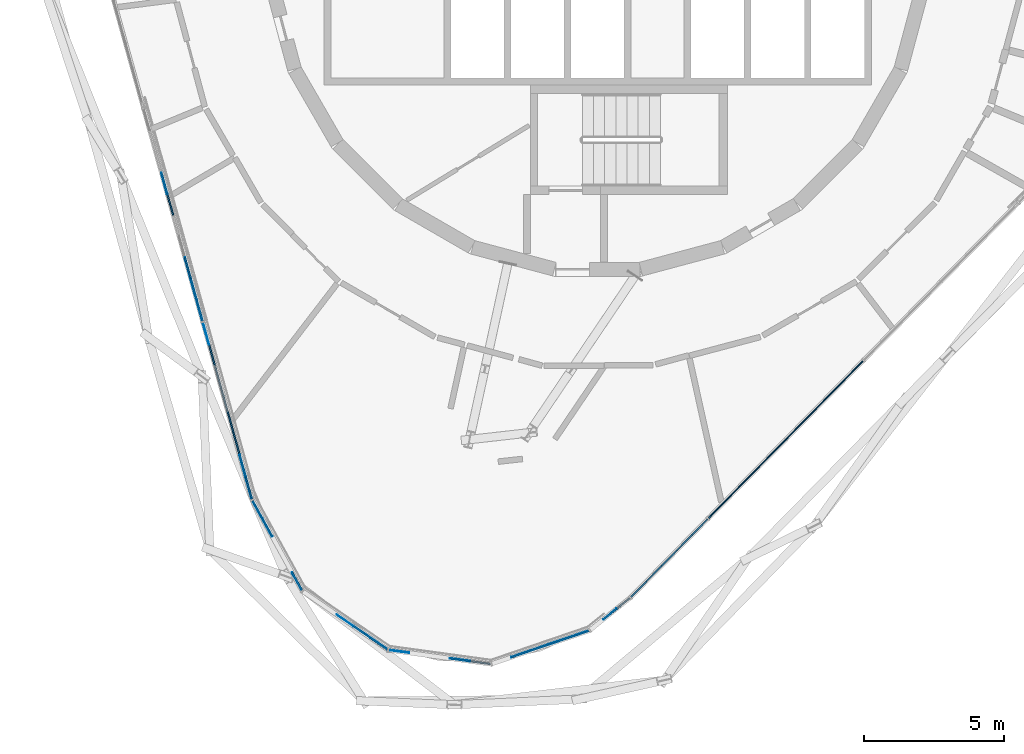
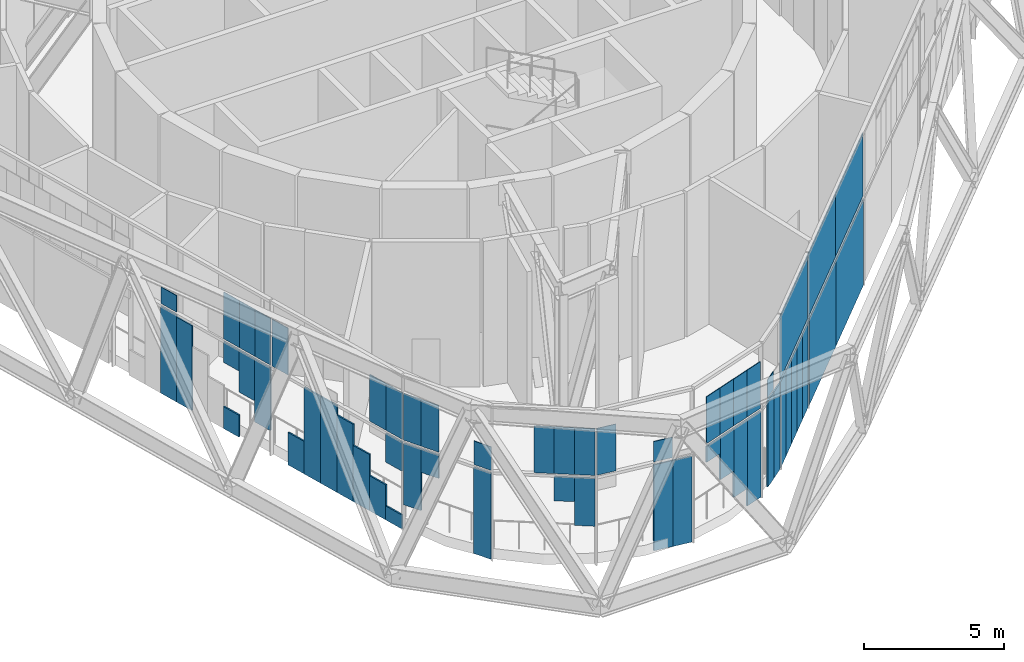
# One storey, part 8 of 23: 58 plates, 3 elements without a shape of their own.
"""IFC4 building model written with IfcOpenShell, lengths in metres."""

from ifc_helpers import new_model, si_unit, direction, frame, origin, origin_2d, place, context, subcontext, project, spatial, rectangle, extrude, material, layer, layer_set, type_object, element, aggregate, save


model = new_model("IFC4")

# Units and contexts
model_context = context("Model", 3, precision=1e-05, world=origin(), true_north=direction((0.0, 1.0)))
body_context = subcontext(model_context, "Body", "Model", "MODEL_VIEW")
ifc_project = project(units=[si_unit("LENGTHUNIT", "METRE"), si_unit("AREAUNIT", "SQUARE_METRE"), si_unit("VOLUMEUNIT", "CUBIC_METRE"), si_unit("PLANEANGLEUNIT", "RADIAN"), si_unit("MASSUNIT", "GRAM", prefix="KILO")], contexts=[model_context])

# Site, building, storey
site_placement = place(None, origin())
site = spatial("IfcSite", under=ifc_project, at=site_placement, CompositionType="ELEMENT")
building_placement = place(site_placement, origin())
building = spatial("IfcBuilding", under=site, at=building_placement, Name="Spindle Arch Residences", CompositionType="ELEMENT")
storey_placement = place(building_placement, frame((0.0, 0.0, 326.199951171875)))
storey = spatial("IfcBuildingStorey", under=building, at=storey_placement, Name="L84", CompositionType="ELEMENT", Elevation=326.199951171875)

# Curtain wall, plates
ifc_material_1 = material(Name="Aluminium bronze unitised frame with tinted glass", Category="aluminium")
ifc_layer_1 = layer(ifc_material_1, 0.159912109375)
ifc_layer_set_1 = layer_set([ifc_layer_1], Name="CW-E double-height winter garden wall")
curtain_wall_type = type_object("IfcCurtainWallType", Name="CW-E double-height winter garden wall", PredefinedType="NOTDEFINED", material=ifc_layer_set_1)
curtain_wall_1_placement = place(storey_placement, origin())
curtain_wall_1 = element("IfcCurtainWall", 1, at=curtain_wall_1_placement, inside=storey, type_object=curtain_wall_type, Name="CW-E L84 run 4", PredefinedType="NOTDEFINED")
ifc_material_2 = material(Name="Tinted laminated glass 28 mm", Category="glass")
ifc_layer_2 = layer(ifc_material_2, 0.028076171875)
ifc_layer_set_2 = layer_set([ifc_layer_2], Name="Tinted glass panel 28 mm")
plate_type_1 = type_object("IfcPlateType", Name="Tinted glass panel 28 mm", PredefinedType="CURTAIN_PANEL", material=ifc_layer_set_2)
plate_1_placement = place(storey_placement, frame((-15.51953125, -8.56787109375, 3.460205078125), z_axis=(0.0, 0.0, 1.0), x_axis=(0.267238376078, -0.963630453209, 0.0)))
plate_1 = element("IfcPlate", 2, at=plate_1_placement, type_object=plate_type_1, Name="CW-E panel 13Ab.2", PredefinedType="CURTAIN_PANEL", context=body_context, shape_type="SweptSolid", body=[
    extrude(rectangle(XDim=0.78759765625, YDim=0.028076171875, at=origin_2d()), origin(), (0.0, 0.0, 1.0), 0.72412109375),
])
plate_2_placement = place(storey_placement, frame((-14.677490234375, -11.603271484375, 3.460205078125), z_axis=(0.0, 0.0, 1.0), x_axis=(0.267238376078, -0.963630453209, 0.0)))
plate_2 = element("IfcPlate", 3, at=plate_2_placement, type_object=plate_type_1, Name="CW-E panel 13Bb.2", PredefinedType="CURTAIN_PANEL", context=body_context, shape_type="SweptSolid", body=[
    extrude(rectangle(XDim=0.78759765625, YDim=0.028076171875, at=origin_2d()), origin(), (0.0, 0.0, 1.0), 2.0458984375),
])
plate_3_placement = place(storey_placement, frame((-14.467041015625, -12.362060546875, 3.460205078125), z_axis=(0.0, 0.0, 1.0), x_axis=(0.267238376078, -0.963630453209, 0.0)))
plate_3 = element("IfcPlate", 4, at=plate_3_placement, type_object=plate_type_1, Name="CW-E panel 13Bb.3", PredefinedType="CURTAIN_PANEL", context=body_context, shape_type="SweptSolid", body=[
    extrude(rectangle(XDim=0.78759765625, YDim=0.028076171875, at=origin_2d()), origin(), (0.0, 0.0, 1.0), 2.0458984375),
])
plate_4_placement = place(storey_placement, frame((-14.256591796875, -13.12109375, 3.460205078125), z_axis=(0.0, 0.0, 1.0), x_axis=(0.267238376078, -0.963630453209, 0.0)))
plate_4 = element("IfcPlate", 5, at=plate_4_placement, type_object=plate_type_1, Name="CW-E panel 13Bb.4", PredefinedType="CURTAIN_PANEL", context=body_context, shape_type="SweptSolid", body=[
    extrude(rectangle(XDim=0.78759765625, YDim=0.028076171875, at=origin_2d()), origin(), (0.0, 0.0, 1.0), 2.0458984375),
])

curtain_wall_2_placement = place(storey_placement, origin())
curtain_wall_2 = element("IfcCurtainWall", 6, at=curtain_wall_2_placement, inside=storey, type_object=curtain_wall_type, Name="CW-E L84 run 5", PredefinedType="NOTDEFINED")
plate_5_placement = place(storey_placement, frame((-14.02587890625, -13.953125, 3.460205078125), z_axis=(0.0, 0.0, 1.0), x_axis=(0.267238376078, -0.963630453209, 0.0)))
plate_5 = element("IfcPlate", 7, at=plate_5_placement, type_object=plate_type_1, Name="CW-E panel 00b.1", PredefinedType="CURTAIN_PANEL", context=body_context, shape_type="SweptSolid", body=[
    extrude(rectangle(XDim=0.819580078125, YDim=0.028076171875, at=origin_2d()), origin(), (0.0, 0.0, 1.0), 2.0458984375),
])
plate_6_placement = place(storey_placement, frame((-12.7119140625, -18.691162109375, 3.460205078125), z_axis=(0.0, 0.0, 1.0), x_axis=(0.267238376078, -0.963630453209, 0.0)))
plate_6 = element("IfcPlate", 8, at=plate_6_placement, type_object=plate_type_1, Name="CW-E panel 00b.4", PredefinedType="CURTAIN_PANEL", context=body_context, shape_type="SweptSolid", body=[
    extrude(rectangle(XDim=0.819580078125, YDim=0.028076171875, at=origin_2d()), origin(), (0.0, 0.0, 1.0), 2.0458984375),
])
plate_7_placement = place(storey_placement, frame((-12.492919921875, -19.48095703125, 3.460205078125), z_axis=(0.0, 0.0, 1.0), x_axis=(0.267238376078, -0.963630453209, 0.0)))
plate_7 = element("IfcPlate", 9, at=plate_7_placement, type_object=plate_type_1, Name="CW-E panel 00b.5", PredefinedType="CURTAIN_PANEL", context=body_context, shape_type="SweptSolid", body=[
    extrude(rectangle(XDim=0.819580078125, YDim=0.028076171875, at=origin_2d()), origin(), (0.0, 0.0, 1.0), 2.0458984375),
])
plate_8_placement = place(storey_placement, frame((-12.18408203125, -20.252197265625, 3.460205078125), z_axis=(0.0, 0.0, 1.0), x_axis=(0.482263404731, -0.876026260142, 0.0)))
plate_8 = element("IfcPlate", 10, at=plate_8_placement, type_object=plate_type_1, Name="CW-E panel 01b.1", PredefinedType="CURTAIN_PANEL", context=body_context, shape_type="SweptSolid", body=[
    extrude(rectangle(XDim=0.7333984375, YDim=0.028076171875, at=origin_2d()), origin(), (0.0, 0.0, 1.0), 2.0458984375),
])
plate_9_placement = place(storey_placement, frame((-11.830322265625, -20.89453125, 3.460205078125), z_axis=(0.0, 0.0, 1.0), x_axis=(0.482263404731, -0.876026260142, 0.0)))
plate_9 = element("IfcPlate", 11, at=plate_9_placement, type_object=plate_type_1, Name="CW-E panel 01b.2", PredefinedType="CURTAIN_PANEL", context=body_context, shape_type="SweptSolid", body=[
    extrude(rectangle(XDim=0.7333984375, YDim=0.028076171875, at=origin_2d()), origin(), (0.0, 0.0, 1.0), 2.0458984375),
])
plate_10_placement = place(storey_placement, frame((-10.76953125, -22.822021484375, 3.4599609375), z_axis=(0.0, 0.0, 1.0), x_axis=(0.482263404731, -0.876026260142, 0.0)))
plate_10 = element("IfcPlate", 12, at=plate_10_placement, type_object=plate_type_1, Name="CW-E panel 01b.3", PredefinedType="CURTAIN_PANEL", context=body_context, shape_type="SweptSolid", body=[
    extrude(rectangle(XDim=0.7333984375, YDim=0.028076171875, at=origin_2d()), origin(), (0.0, 0.0, 1.0), 1.02978515625),
])
plate_11_placement = place(storey_placement, frame((-9.04248046875, -24.224853515625, 3.460205078125), z_axis=(0.0, 0.0, 1.0), x_axis=(0.824126188573, -0.566406236997, 0.0)))
plate_11 = element("IfcPlate", 13, at=plate_11_placement, type_object=plate_type_1, Name="CW-E panel 02b.1", PredefinedType="CURTAIN_PANEL", context=body_context, shape_type="SweptSolid", body=[
    extrude(rectangle(XDim=0.7333984375, YDim=0.028076171875, at=origin_2d()), origin(), (0.0, 0.0, 1.0), 2.0458984375),
])
plate_12_placement = place(storey_placement, frame((-8.43798828125, -24.64013671875, 3.460205078125), z_axis=(0.0, 0.0, 1.0), x_axis=(0.824126188573, -0.566406236997, 0.0)))
plate_12 = element("IfcPlate", 14, at=plate_12_placement, type_object=plate_type_1, Name="CW-E panel 02b.2", PredefinedType="CURTAIN_PANEL", context=body_context, shape_type="SweptSolid", body=[
    extrude(rectangle(XDim=0.7333984375, YDim=0.028076171875, at=origin_2d()), origin(), (0.0, 0.0, 1.0), 2.0458984375),
])
plate_13_placement = place(storey_placement, frame((-7.833740234375, -25.0556640625, 3.460205078125), z_axis=(0.0, 0.0, 1.0), x_axis=(0.824126188573, -0.566406236997, 0.0)))
plate_13 = element("IfcPlate", 15, at=plate_13_placement, type_object=plate_type_1, Name="CW-E panel 02b.3", PredefinedType="CURTAIN_PANEL", context=body_context, shape_type="SweptSolid", body=[
    extrude(rectangle(XDim=0.7333984375, YDim=0.028076171875, at=origin_2d()), origin(), (0.0, 0.0, 1.0), 2.0458984375),
])
plate_14_placement = place(storey_placement, frame((-7.11376953125, -25.33447265625, 3.460205078125), z_axis=(0.0, 0.0, 1.0), x_axis=(0.99066871764, -0.136291936259, 0.0)))
plate_14 = element("IfcPlate", 16, at=plate_14_placement, type_object=plate_type_1, Name="CW-E panel 03b.1", PredefinedType="CURTAIN_PANEL", context=body_context, shape_type="SweptSolid", body=[
    extrude(rectangle(XDim=0.7333984375, YDim=0.028076171875, at=origin_2d()), origin(), (0.0, 0.0, 1.0), 2.0458984375),
])
plate_15_placement = place(storey_placement, frame((-4.934326171875, -25.63427734375, 3.4599609375), z_axis=(0.0, 0.0, 1.0), x_axis=(0.99066871764, -0.136291936259, 0.0)))
plate_15 = element("IfcPlate", 17, at=plate_15_placement, type_object=plate_type_1, Name="CW-E panel 03b.2", PredefinedType="CURTAIN_PANEL", context=body_context, shape_type="SweptSolid", body=[
    extrude(rectangle(XDim=0.7333984375, YDim=0.028076171875, at=origin_2d()), origin(), (0.0, 0.0, 1.0), 0.892333984375),
])
plate_16_placement = place(storey_placement, frame((-2.745361328125, -25.42333984375, 3.460205078125), z_axis=(0.0, 0.0, 1.0), x_axis=(0.946461612616, 0.322816381002, 0.0)))
plate_16 = element("IfcPlate", 18, at=plate_16_placement, type_object=plate_type_1, Name="CW-E panel 04b.1", PredefinedType="CURTAIN_PANEL", context=body_context, shape_type="SweptSolid", body=[
    extrude(rectangle(XDim=0.7333984375, YDim=0.028076171875, at=origin_2d()), origin(), (0.0, 0.0, 1.0), 2.0458984375),
])
plate_17_placement = place(storey_placement, frame((-2.05126953125, -25.186767578125, 3.460205078125), z_axis=(0.0, 0.0, 1.0), x_axis=(0.946461612616, 0.322816381002, 0.0)))
plate_17 = element("IfcPlate", 19, at=plate_17_placement, type_object=plate_type_1, Name="CW-E panel 04b.2", PredefinedType="CURTAIN_PANEL", context=body_context, shape_type="SweptSolid", body=[
    extrude(rectangle(XDim=0.7333984375, YDim=0.028076171875, at=origin_2d()), origin(), (0.0, 0.0, 1.0), 2.0458984375),
])
plate_18_placement = place(storey_placement, frame((-1.357177734375, -24.949951171875, 3.460205078125), z_axis=(0.0, 0.0, 1.0), x_axis=(0.946461612616, 0.322816381002, 0.0)))
plate_18 = element("IfcPlate", 20, at=plate_18_placement, type_object=plate_type_1, Name="CW-E panel 04b.3", PredefinedType="CURTAIN_PANEL", context=body_context, shape_type="SweptSolid", body=[
    extrude(rectangle(XDim=0.7333984375, YDim=0.028076171875, at=origin_2d()), origin(), (0.0, 0.0, 1.0), 2.0458984375),
])
plate_19_placement = place(storey_placement, frame((-0.6630859375, -24.713134765625, 3.460205078125), z_axis=(0.0, 0.0, 1.0), x_axis=(0.946461612616, 0.322816381002, 0.0)))
plate_19 = element("IfcPlate", 21, at=plate_19_placement, type_object=plate_type_1, Name="CW-E panel 04b.4", PredefinedType="CURTAIN_PANEL", context=body_context, shape_type="SweptSolid", body=[
    extrude(rectangle(XDim=0.7333984375, YDim=0.028076171875, at=origin_2d()), origin(), (0.0, 0.0, 1.0), 2.0458984375),
])
plate_20_placement = place(storey_placement, frame((0.443115234375, -23.9970703125, 3.4599609375), z_axis=(0.0, 0.0, 1.0), x_axis=(0.778973292636, 0.627057102153, 0.0)))
plate_20 = element("IfcPlate", 22, at=plate_20_placement, type_object=plate_type_1, Name="CW-E panel 05b.1", PredefinedType="CURTAIN_PANEL", context=body_context, shape_type="SweptSolid", body=[
    extrude(rectangle(XDim=0.60546875, YDim=0.028076171875, at=origin_2d()), origin(), (0.0, 0.0, 1.0), 0.791259765625),
])
plate_21_placement = place(storey_placement, frame((2.5654296875, -21.99267578125, 3.4599609375), z_axis=(0.0, 0.0, 1.0), x_axis=(0.7009092643, 0.713250449154, 0.0)))
plate_21 = element("IfcPlate", 23, at=plate_21_placement, type_object=plate_type_1, Name="CW-E unit 06b", PredefinedType="CURTAIN_PANEL", context=body_context, shape_type="SweptSolid", body=[
    extrude(rectangle(XDim=3.910888671875, YDim=0.028076171875, at=origin_2d()), origin(), (0.0, 0.0, 1.0), 2.77001953125),
])

curtain_wall_3_placement = place(storey_placement, origin())
curtain_wall_3 = element("IfcCurtainWall", 24, at=curtain_wall_3_placement, inside=storey, type_object=curtain_wall_type, Name="CW-E L84 run 6", PredefinedType="NOTDEFINED")
plate_22_placement = place(storey_placement, frame((5.35791015625, -19.15087890625, 3.4599609375), z_axis=(0.0, 0.0, 1.0), x_axis=(0.7009092643, 0.713250449154, 0.0)))
plate_22 = element("IfcPlate", 25, at=plate_22_placement, type_object=plate_type_1, Name="CW-E unit 18Ab", PredefinedType="CURTAIN_PANEL", context=body_context, shape_type="SweptSolid", body=[
    extrude(rectangle(XDim=3.9375, YDim=0.028076171875, at=origin_2d()), origin(), (0.0, 0.0, 1.0), 2.77001953125),
])
plate_23_placement = place(storey_placement, frame((8.117919921875, -16.34228515625, 3.4599609375), z_axis=(0.0, 0.0, 1.0), x_axis=(0.7009092643, 0.713250449154, 0.0)))
plate_23 = element("IfcPlate", 26, at=plate_23_placement, type_object=plate_type_1, Name="CW-E unit 18Bb", PredefinedType="CURTAIN_PANEL", context=body_context, shape_type="SweptSolid", body=[
    extrude(rectangle(XDim=3.9375, YDim=0.028076171875, at=origin_2d()), origin(), (0.0, 0.0, 1.0), 2.77001953125),
])

# Plate
ifc_material_3 = material(Name="Tinted double glazing over aluminium faced non-combustible spandrel zone (K0)", Category="aluminium")
ifc_layer_3 = layer(ifc_material_3, 0.06005859375)
ifc_layer_set_3 = layer_set([ifc_layer_3], Name="Unitised glass panel with E 60 spandrel zone")
plate_type_2 = type_object("IfcPlateType", Name="Unitised glass panel with E 60 spandrel zone", PredefinedType="CURTAIN_PANEL", material=ifc_layer_set_3)
plate_24_placement = place(storey_placement, frame((-15.51953125, -8.56787109375, -0.449951171875), z_axis=(0.0, 0.0, 1.0), x_axis=(0.267238376078, -0.963630453209, 0.0)))
plate_24 = element("IfcPlate", 27, at=plate_24_placement, type_object=plate_type_2, Name="CW-E panel 13Aa.4", PredefinedType="CURTAIN_PANEL", context=body_context, shape_type="SweptSolid", body=[
    extrude(rectangle(XDim=0.78759765625, YDim=0.06005859375, at=origin_2d()), origin(), (0.0, 0.0, 1.0), 3.7900390625),
])

plate_25_placement = place(storey_placement, frame((-15.30908203125, -9.32666015625, -0.449951171875), z_axis=(0.0, 0.0, 1.0), x_axis=(0.267238376078, -0.963630453209, 0.0)))
plate_25 = element("IfcPlate", 28, at=plate_25_placement, type_object=plate_type_2, Name="CW-E panel 13Aa.5", PredefinedType="CURTAIN_PANEL", context=body_context, shape_type="SweptSolid", body=[
    extrude(rectangle(XDim=0.78759765625, YDim=0.06005859375, at=origin_2d()), origin(), (0.0, 0.0, 1.0), 3.71533203125),
])

plate_26_placement = place(storey_placement, frame((-14.677490234375, -11.603271484375, -0.4501953125), z_axis=(0.0, 0.0, 1.0), x_axis=(0.267238376078, -0.963630453209, 0.0)))
plate_26 = element("IfcPlate", 29, at=plate_26_placement, type_object=plate_type_2, Name="CW-E panel 13Ba.3", PredefinedType="CURTAIN_PANEL", context=body_context, shape_type="SweptSolid", body=[
    extrude(rectangle(XDim=0.78759765625, YDim=0.06005859375, at=origin_2d()), origin(), (0.0, 0.0, 1.0), 0.958740234375),
])

plate_27_placement = place(storey_placement, frame((-14.677490234375, -11.603271484375, 2.44189453125), z_axis=(0.0, 0.0, 1.0), x_axis=(0.267238376078, -0.963630453209, 0.0)))
plate_27 = element("IfcPlate", 30, at=plate_27_placement, type_object=plate_type_2, Name="CW-E panel 13Ba.4", PredefinedType="CURTAIN_PANEL", context=body_context, shape_type="SweptSolid", body=[
    extrude(rectangle(XDim=0.78759765625, YDim=0.06005859375, at=origin_2d()), origin(), (0.0, 0.0, 1.0), 0.898193359375),
])

plate_28_placement = place(storey_placement, frame((-14.467041015625, -12.362060546875, 1.52294921875), z_axis=(0.0, 0.0, 1.0), x_axis=(0.267238376078, -0.963630453209, 0.0)))
plate_28 = element("IfcPlate", 31, at=plate_28_placement, type_object=plate_type_2, Name="CW-E panel 13Ba.5", PredefinedType="CURTAIN_PANEL", context=body_context, shape_type="SweptSolid", body=[
    extrude(rectangle(XDim=0.78759765625, YDim=0.06005859375, at=origin_2d()), origin(), (0.0, 0.0, 1.0), 1.817138671875),
])

plate_29_placement = place(storey_placement, frame((-14.256591796875, -13.12109375, 0.604248046875), z_axis=(0.0, 0.0, 1.0), x_axis=(0.267238376078, -0.963630453209, 0.0)))
plate_29 = element("IfcPlate", 32, at=plate_29_placement, type_object=plate_type_2, Name="CW-E panel 13Ba.6", PredefinedType="CURTAIN_PANEL", context=body_context, shape_type="SweptSolid", body=[
    extrude(rectangle(XDim=0.78759765625, YDim=0.06005859375, at=origin_2d()), origin(), (0.0, 0.0, 1.0), 2.73583984375),
])

aggregate(curtain_wall_1, [plate_24, plate_25, plate_1, plate_26, plate_27, plate_28, plate_29, plate_2, plate_3, plate_4])

plate_30_placement = place(storey_placement, frame((-13.806884765625, -14.74267578125, -0.4501953125), z_axis=(0.0, 0.0, 1.0), x_axis=(0.267238376078, -0.963630453209, 0.0)))
plate_30 = element("IfcPlate", 33, at=plate_30_placement, type_object=plate_type_2, Name="CW-E panel 00a.1", PredefinedType="CURTAIN_PANEL", context=body_context, shape_type="SweptSolid", body=[
    extrude(rectangle(XDim=0.819580078125, YDim=0.06005859375, at=origin_2d()), origin(), (0.0, 0.0, 1.0), 1.419189453125),
])

plate_31_placement = place(storey_placement, frame((-13.587890625, -15.532470703125, -0.449951171875), z_axis=(0.0, 0.0, 1.0), x_axis=(0.267238376078, -0.963630453209, 0.0)))
plate_31 = element("IfcPlate", 34, at=plate_31_placement, type_object=plate_type_2, Name="CW-E panel 00a.2", PredefinedType="CURTAIN_PANEL", context=body_context, shape_type="SweptSolid", body=[
    extrude(rectangle(XDim=0.819580078125, YDim=0.06005859375, at=origin_2d()), origin(), (0.0, 0.0, 1.0), 3.7900390625),
])

plate_32_placement = place(storey_placement, frame((-13.368896484375, -16.322265625, -0.449951171875), z_axis=(0.0, 0.0, 1.0), x_axis=(0.267238376078, -0.963630453209, 0.0)))
plate_32 = element("IfcPlate", 35, at=plate_32_placement, type_object=plate_type_2, Name="CW-E panel 00a.3", PredefinedType="CURTAIN_PANEL", context=body_context, shape_type="SweptSolid", body=[
    extrude(rectangle(XDim=0.819580078125, YDim=0.06005859375, at=origin_2d()), origin(), (0.0, 0.0, 1.0), 3.7900390625),
])

plate_33_placement = place(storey_placement, frame((-13.14990234375, -17.11181640625, -0.44970703125), z_axis=(0.0, 0.0, 1.0), x_axis=(0.267238376078, -0.963630453209, 0.0)))
plate_33 = element("IfcPlate", 36, at=plate_33_placement, type_object=plate_type_2, Name="CW-E panel 00a.4", PredefinedType="CURTAIN_PANEL", context=body_context, shape_type="SweptSolid", body=[
    extrude(rectangle(XDim=0.819580078125, YDim=0.06005859375, at=origin_2d()), origin(), (0.0, 0.0, 1.0), 3.376220703125),
])

plate_34_placement = place(storey_placement, frame((-12.930908203125, -17.901611328125, -0.449951171875), z_axis=(0.0, 0.0, 1.0), x_axis=(0.267238376078, -0.963630453209, 0.0)))
plate_34 = element("IfcPlate", 37, at=plate_34_placement, type_object=plate_type_2, Name="CW-E panel 00a.5", PredefinedType="CURTAIN_PANEL", context=body_context, shape_type="SweptSolid", body=[
    extrude(rectangle(XDim=0.819580078125, YDim=0.06005859375, at=origin_2d()), origin(), (0.0, 0.0, 1.0), 2.4541015625),
])

plate_35_placement = place(storey_placement, frame((-12.7119140625, -18.691162109375, -0.44970703125), z_axis=(0.0, 0.0, 1.0), x_axis=(0.267238376078, -0.963630453209, 0.0)))
plate_35 = element("IfcPlate", 38, at=plate_35_placement, type_object=plate_type_2, Name="CW-E panel 00a.6", PredefinedType="CURTAIN_PANEL", context=body_context, shape_type="SweptSolid", body=[
    extrude(rectangle(XDim=0.819580078125, YDim=0.06005859375, at=origin_2d()), origin(), (0.0, 0.0, 1.0), 1.531982421875),
])

plate_36_placement = place(storey_placement, frame((-12.492919921875, -19.48095703125, -0.449951171875), z_axis=(0.0, 0.0, 1.0), x_axis=(0.267238376078, -0.963630453209, 0.0)))
plate_36 = element("IfcPlate", 39, at=plate_36_placement, type_object=plate_type_2, Name="CW-E panel 00a.8", PredefinedType="CURTAIN_PANEL", context=body_context, shape_type="SweptSolid", body=[
    extrude(rectangle(XDim=0.819580078125, YDim=0.06005859375, at=origin_2d()), origin(), (0.0, 0.0, 1.0), 0.60986328125),
])

plate_37_placement = place(storey_placement, frame((-12.492919921875, -19.48095703125, 2.07568359375), z_axis=(0.0, 0.0, 1.0), x_axis=(0.267238376078, -0.963630453209, 0.0)))
plate_37 = element("IfcPlate", 40, at=plate_37_placement, type_object=plate_type_2, Name="CW-E panel 00a.9", PredefinedType="CURTAIN_PANEL", context=body_context, shape_type="SweptSolid", body=[
    extrude(rectangle(XDim=0.819580078125, YDim=0.06005859375, at=origin_2d()), origin(), (0.0, 0.0, 1.0), 1.264404296875),
])

plate_38_placement = place(storey_placement, frame((-12.18408203125, -20.252197265625, 0.6474609375), z_axis=(0.0, 0.0, 1.0), x_axis=(0.482263404731, -0.876026260142, 0.0)))
plate_38 = element("IfcPlate", 41, at=plate_38_placement, type_object=plate_type_2, Name="CW-E panel 01a.1", PredefinedType="CURTAIN_PANEL", context=body_context, shape_type="SweptSolid", body=[
    extrude(rectangle(XDim=0.7333984375, YDim=0.06005859375, at=origin_2d()), origin(), (0.0, 0.0, 1.0), 2.692626953125),
])

plate_39_placement = place(storey_placement, frame((-11.830322265625, -20.89453125, 2.322998046875), z_axis=(0.0, 0.0, 1.0), x_axis=(0.482263404731, -0.876026260142, 0.0)))
plate_39 = element("IfcPlate", 42, at=plate_39_placement, type_object=plate_type_2, Name="CW-E panel 01a.2", PredefinedType="CURTAIN_PANEL", context=body_context, shape_type="SweptSolid", body=[
    extrude(rectangle(XDim=0.7333984375, YDim=0.06005859375, at=origin_2d()), origin(), (0.0, 0.0, 1.0), 1.01708984375),
])

plate_40_placement = place(storey_placement, frame((-10.76953125, -22.822021484375, -0.419921875), z_axis=(0.0, 0.0, 1.0), x_axis=(0.482263404731, -0.876026260142, 0.0)))
plate_40 = element("IfcPlate", 43, at=plate_40_placement, type_object=plate_type_2, Name="CW-E panel 01a.3", PredefinedType="CURTAIN_PANEL", context=body_context, shape_type="SweptSolid", body=[
    extrude(rectangle(XDim=0.7333984375, YDim=0.06005859375, at=origin_2d()), origin(), (0.0, 0.0, 1.0), 3.760009765625),
])

plate_41_placement = place(storey_placement, frame((-8.43798828125, -24.64013671875, 2.280517578125), z_axis=(0.0, 0.0, 1.0), x_axis=(0.824126188573, -0.566406236997, 0.0)))
plate_41 = element("IfcPlate", 44, at=plate_41_placement, type_object=plate_type_2, Name="CW-E panel 02a.1", PredefinedType="CURTAIN_PANEL", context=body_context, shape_type="SweptSolid", body=[
    extrude(rectangle(XDim=0.7333984375, YDim=0.06005859375, at=origin_2d()), origin(), (0.0, 0.0, 1.0), 1.0595703125),
])

plate_42_placement = place(storey_placement, frame((-7.833740234375, -25.0556640625, 1.24560546875), z_axis=(0.0, 0.0, 1.0), x_axis=(0.824126188573, -0.566406236997, 0.0)))
plate_42 = element("IfcPlate", 45, at=plate_42_placement, type_object=plate_type_2, Name="CW-E panel 02a.2", PredefinedType="CURTAIN_PANEL", context=body_context, shape_type="SweptSolid", body=[
    extrude(rectangle(XDim=0.7333984375, YDim=0.06005859375, at=origin_2d()), origin(), (0.0, 0.0, 1.0), 2.094482421875),
])

plate_43_placement = place(storey_placement, frame((-4.934326171875, -25.63427734375, -0.419921875), z_axis=(0.0, 0.0, 1.0), x_axis=(0.99066871764, -0.136291936259, 0.0)))
plate_43 = element("IfcPlate", 46, at=plate_43_placement, type_object=plate_type_2, Name="CW-E panel 03a.2", PredefinedType="CURTAIN_PANEL", context=body_context, shape_type="SweptSolid", body=[
    extrude(rectangle(XDim=0.7333984375, YDim=0.06005859375, at=origin_2d()), origin(), (0.0, 0.0, 1.0), 3.760009765625),
])

plate_44_placement = place(storey_placement, frame((-4.207763671875, -25.734130859375, -0.419921875), z_axis=(0.0, 0.0, 1.0), x_axis=(0.99066871764, -0.136291936259, 0.0)))
plate_44 = element("IfcPlate", 47, at=plate_44_placement, type_object=plate_type_2, Name="CW-E panel 03a.3", PredefinedType="CURTAIN_PANEL", context=body_context, shape_type="SweptSolid", body=[
    extrude(rectangle(XDim=0.7333984375, YDim=0.06005859375, at=origin_2d()), origin(), (0.0, 0.0, 1.0), 3.760009765625),
])

plate_45_placement = place(storey_placement, frame((-2.745361328125, -25.42333984375, 2.651123046875), z_axis=(0.0, 0.0, 1.0), x_axis=(0.946461612616, 0.322816381002, 0.0)))
plate_45 = element("IfcPlate", 48, at=plate_45_placement, type_object=plate_type_2, Name="CW-E panel 04a.1", PredefinedType="CURTAIN_PANEL", context=body_context, shape_type="SweptSolid", body=[
    extrude(rectangle(XDim=0.7333984375, YDim=0.06005859375, at=origin_2d()), origin(), (0.0, 0.0, 1.0), 0.68896484375),
])

plate_46_placement = place(storey_placement, frame((-2.05126953125, -25.186767578125, 1.495849609375), z_axis=(0.0, 0.0, 1.0), x_axis=(0.946461612616, 0.322816381002, 0.0)))
plate_46 = element("IfcPlate", 49, at=plate_46_placement, type_object=plate_type_2, Name="CW-E panel 04a.2", PredefinedType="CURTAIN_PANEL", context=body_context, shape_type="SweptSolid", body=[
    extrude(rectangle(XDim=0.7333984375, YDim=0.06005859375, at=origin_2d()), origin(), (0.0, 0.0, 1.0), 1.84423828125),
])

plate_47_placement = place(storey_placement, frame((-1.357177734375, -24.949951171875, 0.340576171875), z_axis=(0.0, 0.0, 1.0), x_axis=(0.946461612616, 0.322816381002, 0.0)))
plate_47 = element("IfcPlate", 50, at=plate_47_placement, type_object=plate_type_2, Name="CW-E panel 04a.3", PredefinedType="CURTAIN_PANEL", context=body_context, shape_type="SweptSolid", body=[
    extrude(rectangle(XDim=0.7333984375, YDim=0.06005859375, at=origin_2d()), origin(), (0.0, 0.0, 1.0), 2.99951171875),
])

plate_48_placement = place(storey_placement, frame((-0.6630859375, -24.713134765625, -0.419921875), z_axis=(0.0, 0.0, 1.0), x_axis=(0.946461612616, 0.322816381002, 0.0)))
plate_48 = element("IfcPlate", 51, at=plate_48_placement, type_object=plate_type_2, Name="CW-E panel 04a.4", PredefinedType="CURTAIN_PANEL", context=body_context, shape_type="SweptSolid", body=[
    extrude(rectangle(XDim=0.7333984375, YDim=0.06005859375, at=origin_2d()), origin(), (0.0, 0.0, 1.0), 3.760009765625),
])

plate_49_placement = place(storey_placement, frame((0.443115234375, -23.9970703125, -0.419921875), z_axis=(0.0, 0.0, 1.0), x_axis=(0.778973292636, 0.627057102153, 0.0)))
plate_49 = element("IfcPlate", 52, at=plate_49_placement, type_object=plate_type_2, Name="CW-E panel 05a.1", PredefinedType="CURTAIN_PANEL", context=body_context, shape_type="SweptSolid", body=[
    extrude(rectangle(XDim=0.60546875, YDim=0.06005859375, at=origin_2d()), origin(), (0.0, 0.0, 1.0), 3.760009765625),
])

plate_50_placement = place(storey_placement, frame((0.91455078125, -23.617431640625, -0.419921875), z_axis=(0.0, 0.0, 1.0), x_axis=(0.778973292636, 0.627057102153, 0.0)))
plate_50 = element("IfcPlate", 53, at=plate_50_placement, type_object=plate_type_2, Name="CW-E panel 05a.2", PredefinedType="CURTAIN_PANEL", context=body_context, shape_type="SweptSolid", body=[
    extrude(rectangle(XDim=0.60546875, YDim=0.06005859375, at=origin_2d()), origin(), (0.0, 0.0, 1.0), 3.760009765625),
])

plate_51_placement = place(storey_placement, frame((1.468994140625, -23.1083984375, -0.419921875), z_axis=(0.0, 0.0, 1.0), x_axis=(0.7009092643, 0.713250449154, 0.0)))
plate_51 = element("IfcPlate", 54, at=plate_51_placement, type_object=plate_type_2, Name="CW-E panel 06a.1", PredefinedType="CURTAIN_PANEL", context=body_context, shape_type="SweptSolid", body=[
    extrude(rectangle(XDim=0.7822265625, YDim=0.06005859375, at=origin_2d()), origin(), (0.0, 0.0, 1.0), 3.760009765625),
])

plate_52_placement = place(storey_placement, frame((2.01708984375, -22.550537109375, -0.419921875), z_axis=(0.0, 0.0, 1.0), x_axis=(0.7009092643, 0.713250449154, 0.0)))
plate_52 = element("IfcPlate", 55, at=plate_52_placement, type_object=plate_type_2, Name="CW-E panel 06a.2", PredefinedType="CURTAIN_PANEL", context=body_context, shape_type="SweptSolid", body=[
    extrude(rectangle(XDim=0.7822265625, YDim=0.06005859375, at=origin_2d()), origin(), (0.0, 0.0, 1.0), 3.760009765625),
])

plate_53_placement = place(storey_placement, frame((2.5654296875, -21.99267578125, -0.419921875), z_axis=(0.0, 0.0, 1.0), x_axis=(0.7009092643, 0.713250449154, 0.0)))
plate_53 = element("IfcPlate", 56, at=plate_53_placement, type_object=plate_type_2, Name="CW-E panel 06a.3", PredefinedType="CURTAIN_PANEL", context=body_context, shape_type="SweptSolid", body=[
    extrude(rectangle(XDim=0.7822265625, YDim=0.06005859375, at=origin_2d()), origin(), (0.0, 0.0, 1.0), 3.760009765625),
])

plate_54_placement = place(storey_placement, frame((3.11376953125, -21.434814453125, -0.419921875), z_axis=(0.0, 0.0, 1.0), x_axis=(0.7009092643, 0.713250449154, 0.0)))
plate_54 = element("IfcPlate", 57, at=plate_54_placement, type_object=plate_type_2, Name="CW-E panel 06a.4", PredefinedType="CURTAIN_PANEL", context=body_context, shape_type="SweptSolid", body=[
    extrude(rectangle(XDim=0.7822265625, YDim=0.06005859375, at=origin_2d()), origin(), (0.0, 0.0, 1.0), 3.760009765625),
])

plate_55_placement = place(storey_placement, frame((3.661865234375, -20.876708984375, -0.419921875), z_axis=(0.0, 0.0, 1.0), x_axis=(0.7009092643, 0.713250449154, 0.0)))
plate_55 = element("IfcPlate", 58, at=plate_55_placement, type_object=plate_type_2, Name="CW-E panel 06a.5", PredefinedType="CURTAIN_PANEL", context=body_context, shape_type="SweptSolid", body=[
    extrude(rectangle(XDim=0.7822265625, YDim=0.06005859375, at=origin_2d()), origin(), (0.0, 0.0, 1.0), 3.760009765625),
])

aggregate(curtain_wall_2, [plate_30, plate_31, plate_32, plate_33, plate_34, plate_35, plate_36, plate_37, plate_5, plate_6, plate_7, plate_38, plate_39, plate_40, plate_8, plate_9, plate_10, plate_41, plate_42, plate_11, plate_12, plate_13, plate_43, plate_44, plate_14, plate_15, plate_45, plate_46, plate_47, plate_48, plate_16, plate_17, plate_18, plate_19, plate_49, plate_50, plate_20, plate_51, plate_52, plate_53, plate_54, plate_55, plate_21])

plate_56_placement = place(storey_placement, frame((4.02294921875, -20.50927734375, -0.42138671875), z_axis=(0.0, 0.0, 1.0), x_axis=(0.7009092643, 0.713250449154, 0.0)))
plate_56 = element("IfcPlate", 59, at=plate_56_placement, type_object=plate_type_2, Name="CW-E panel 18Aa.1", PredefinedType="CURTAIN_PANEL", context=body_context, shape_type="SweptSolid", body=[
    extrude(rectangle(XDim=0.128173828125, YDim=0.06005859375, at=origin_2d()), origin(), (0.0, 0.0, 1.0), 3.761474609375),
])

plate_57_placement = place(storey_placement, frame((5.40283203125, -19.105224609375, -0.449951171875), z_axis=(0.0, 0.0, 1.0), x_axis=(0.7009092643, 0.713250449154, 0.0)))
plate_57 = element("IfcPlate", 60, at=plate_57_placement, type_object=plate_type_2, Name="CW-E panel 18Aa.2", PredefinedType="CURTAIN_PANEL", context=body_context, shape_type="SweptSolid", body=[
    extrude(rectangle(XDim=3.8095703125, YDim=0.06005859375, at=origin_2d()), origin(), (0.0, 0.0, 1.0), 3.7900390625),
])

plate_58_placement = place(storey_placement, frame((8.117919921875, -16.34228515625, -0.449951171875), z_axis=(0.0, 0.0, 1.0), x_axis=(0.7009092643, 0.713250449154, 0.0)))
plate_58 = element("IfcPlate", 61, at=plate_58_placement, type_object=plate_type_2, Name="CW-E unit 18Ba", PredefinedType="CURTAIN_PANEL", context=body_context, shape_type="SweptSolid", body=[
    extrude(rectangle(XDim=3.9375, YDim=0.06005859375, at=origin_2d()), origin(), (0.0, 0.0, 1.0), 3.7900390625),
])

aggregate(curtain_wall_3, [plate_56, plate_57, plate_22, plate_58, plate_23])

save(model, "model.ifc")
